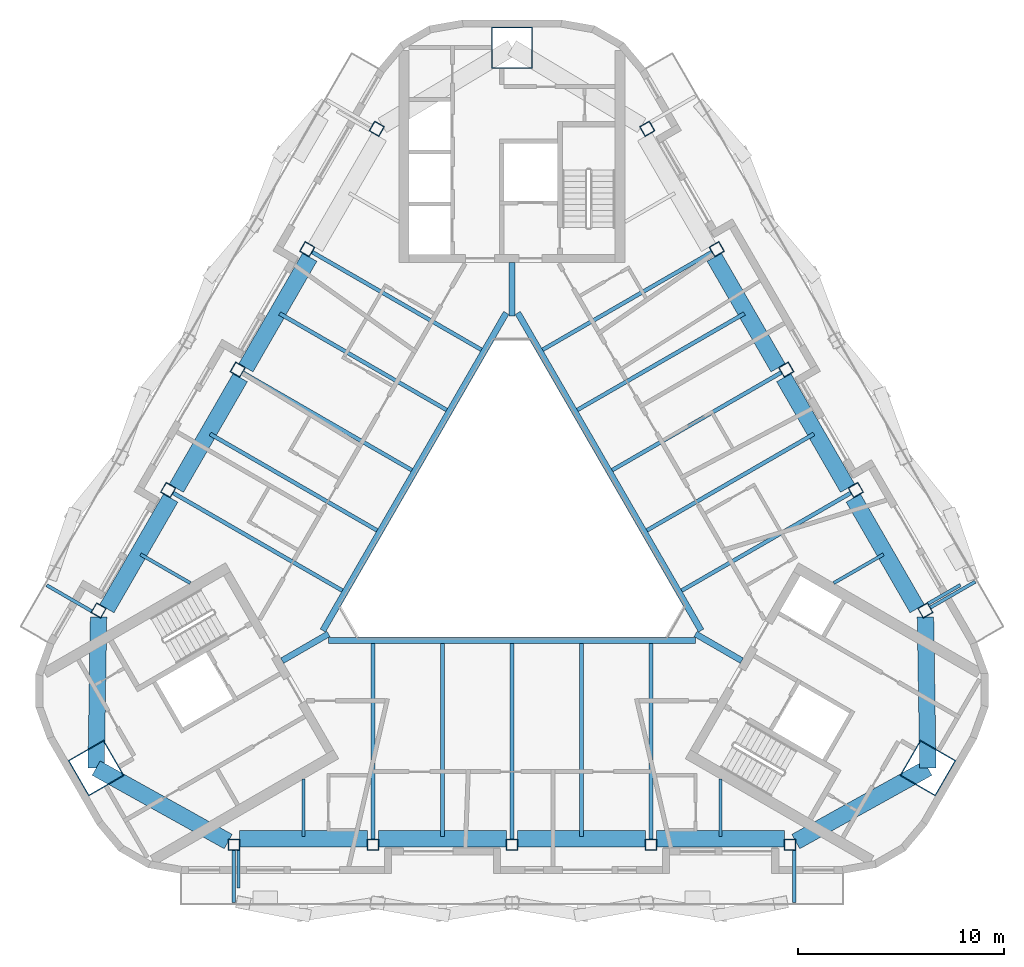
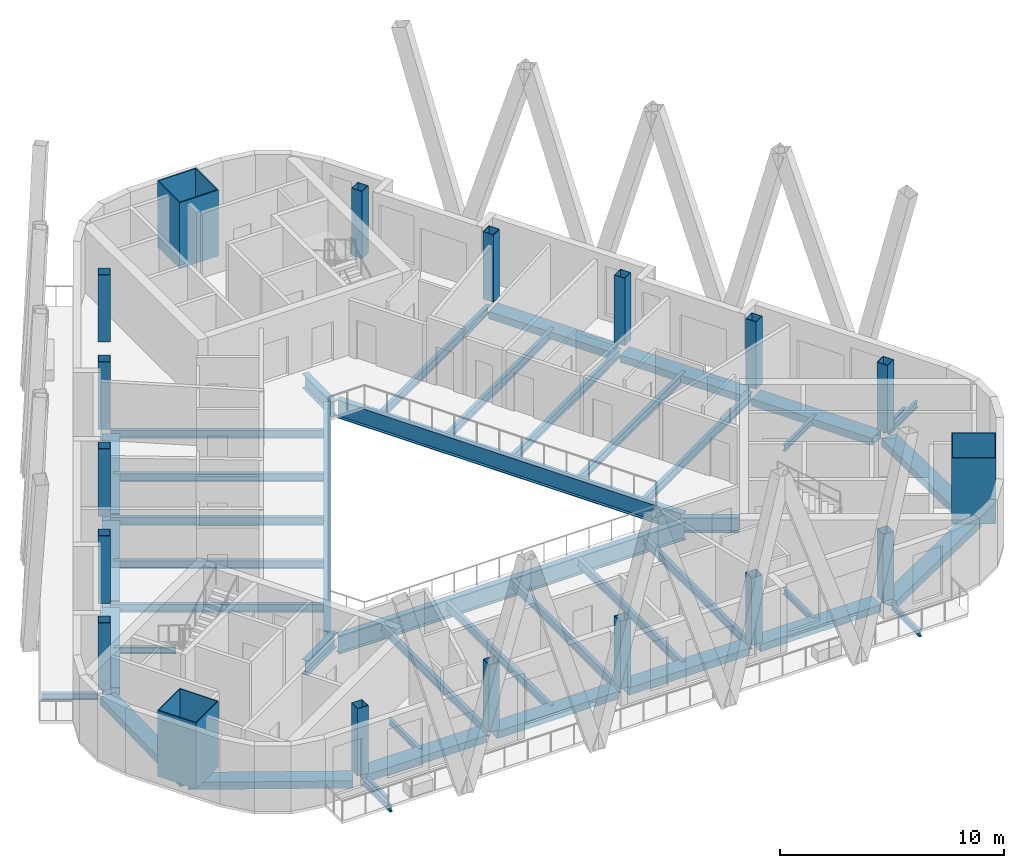
# One storey, part 1 of 12: 45 beams, 18 columns.
"""IFC4 building model written with IfcOpenShell, lengths in metres."""

from ifc_helpers import new_model, si_unit, direction, frame, origin, origin_2d, place, context, subcontext, project, spatial, rectangle, hollow_rectangle, i_section, extrude, boolean, halfspace, material, material_profile, profile_set, type_object, element, save


model = new_model("IFC4")

# Units and contexts
model_context = context("Model", 3, precision=1e-05, world=origin(), true_north=direction((0.0, 1.0)))
body_context = subcontext(model_context, "Body", "Model", "MODEL_VIEW")
ifc_project = project(units=[si_unit("LENGTHUNIT", "METRE"), si_unit("AREAUNIT", "SQUARE_METRE"), si_unit("VOLUMEUNIT", "CUBIC_METRE"), si_unit("PLANEANGLEUNIT", "RADIAN"), si_unit("MASSUNIT", "GRAM", prefix="KILO")], contexts=[model_context])

# Site, building, storey
site_placement = place(None, origin())
site = spatial("IfcSite", under=ifc_project, at=site_placement, CompositionType="ELEMENT")
building_placement = place(site_placement, origin())
building = spatial("IfcBuilding", under=site, at=building_placement, Name="Apuvela Tower Hotel", CompositionType="ELEMENT")
storey_placement = place(building_placement, frame((0.0, 0.0, 302.199951171875)))
storey = spatial("IfcBuildingStorey", under=building, at=storey_placement, Name="L75", CompositionType="ELEMENT", Elevation=302.199951171875)

# Columns
ifc_material_1 = material(Name="Steel S460", Category="steel")
ifc_material_profile_1 = material_profile(ifc_material_1, hollow_rectangle(XDim=2.0, YDim=2.0, WallThickness=0.050048828125, at=origin_2d()), Name="BOX 2000x2000x50")
ifc_material_2 = material(Name="Concrete C80/95", Category="concrete")
ifc_material_profile_2 = material_profile(ifc_material_2, rectangle(XDim=1.89990234375, YDim=1.89990234375, at=origin_2d()), Name="Concrete C80/95 infill")
ifc_profile_set_1 = profile_set([ifc_material_profile_1, ifc_material_profile_2], Name="Steel S460")
column_type_1 = type_object("IfcColumnType", Name="STR-MC mega column BOX 2000x2000x50", PredefinedType="COLUMN", material=ifc_profile_set_1)
for number, where, z_axis, x_axis, name in (
    (1, (0.0, 23.34130859375, 0.0), (0.0, 0.0, 1.0), (1.0, 0.0, 0.0), "Mega column MC4 N"),
    (2, (-20.214111328125, -11.670654296875, 0.0), (0.0, 0.0, 1.0), (-0.5, 0.866025403784, 0.0), "Mega column MC4 SW"),
    (3, (20.214111328125, -11.670654296875, 0.0), (0.0, 0.0, 1.0), (0.5, 0.866025403784, 0.0), "Mega column MC4 SE"),
):
    element("IfcColumn", number, at=place(storey_placement, frame(where, z_axis=z_axis, x_axis=x_axis)), inside=storey, type_object=column_type_1, Name=name, PredefinedType="COLUMN", context=body_context, shape_type="SweptSolid", body=[
        boolean("DIFFERENCE", extrude(hollow_rectangle(XDim=2.0, YDim=2.0, WallThickness=0.050048828125, at=origin_2d()), origin(), (0.0, 0.0, 1.0), 3.699951171875), halfspace(frame((0.0, 0.0, 0.11328125), z_axis=(0.0, 0.0, 1.0), x_axis=(1.0, 0.0, 0.0)), True)),
    ])
ifc_material_profile_3 = material_profile(ifc_material_1, hollow_rectangle(XDim=0.550048828125, YDim=0.550048828125, WallThickness=0.02490234375, at=origin_2d()), Name="BOX 550x550x25")
ifc_material_profile_4 = material_profile(ifc_material_2, rectangle(XDim=0.5, YDim=0.5, at=origin_2d()), Name="Concrete C80/95 infill")
ifc_profile_set_2 = profile_set([ifc_material_profile_3, ifc_material_profile_4], Name="Steel S460")
column_type_2 = type_object("IfcColumnType", Name="STR-PC perimeter column BOX 550x550x25", PredefinedType="COLUMN", material=ifc_profile_set_2)
column_1_placement = place(storey_placement, frame((-13.517822265625, -15.39453125, 0.0), z_axis=(0.0, 0.0, 1.0), x_axis=(-1.0, 0.0, 0.0)))
element("IfcColumn", 4, at=column_1_placement, inside=storey, type_object=column_type_2, Name="Perimeter column C7 S1", PredefinedType="COLUMN", context=body_context, shape_type="SweptSolid", body=[
    boolean("DIFFERENCE", extrude(hollow_rectangle(XDim=0.550048828125, YDim=0.550048828125, WallThickness=0.02490234375, at=origin_2d()), origin(), (0.0, 0.0, 1.0), 3.699951171875), halfspace(frame((0.0, 0.0, 0.039794921875), z_axis=(0.0, 0.0, 1.0), x_axis=(1.0, 0.0, 0.0)), True)),
])
column_2_placement = place(storey_placement, frame((-6.7587890625, -15.39453125, 0.0), z_axis=(0.0, 0.0, 1.0), x_axis=(-1.0, 0.0, 0.0)))
element("IfcColumn", 5, at=column_2_placement, inside=storey, type_object=column_type_2, Name="Perimeter column C7 S2", PredefinedType="COLUMN", context=body_context, shape_type="SweptSolid", body=[
    boolean("DIFFERENCE", extrude(hollow_rectangle(XDim=0.550048828125, YDim=0.550048828125, WallThickness=0.02490234375, at=origin_2d()), origin(), (0.0, 0.0, 1.0), 3.699951171875), halfspace(frame((0.0, 0.0, 0.033935546875), z_axis=(0.0, 0.0, 1.0), x_axis=(1.0, 0.0, 0.0)), True)),
])
column_3_placement = place(storey_placement, frame((0.0, -15.39453125, 0.0), z_axis=(0.0, 0.0, 1.0), x_axis=(-1.0, 0.0, 0.0)))
element("IfcColumn", 6, at=column_3_placement, inside=storey, type_object=column_type_2, Name="Perimeter column C7 S3", PredefinedType="COLUMN", context=body_context, shape_type="SweptSolid", body=[
    boolean("DIFFERENCE", extrude(hollow_rectangle(XDim=0.550048828125, YDim=0.550048828125, WallThickness=0.02490234375, at=origin_2d()), origin(), (0.0, 0.0, 1.0), 3.699951171875), halfspace(frame((0.0, 0.0, 0.031494140625), z_axis=(0.0, 0.0, 1.0), x_axis=(1.0, 0.0, 0.0)), True)),
])
column_4_placement = place(storey_placement, frame((6.7587890625, -15.39453125, 0.0), z_axis=(0.0, 0.0, 1.0), x_axis=(-1.0, 0.0, 0.0)))
element("IfcColumn", 7, at=column_4_placement, inside=storey, type_object=column_type_2, Name="Perimeter column C7 S4", PredefinedType="COLUMN", context=body_context, shape_type="SweptSolid", body=[
    boolean("DIFFERENCE", extrude(hollow_rectangle(XDim=0.550048828125, YDim=0.550048828125, WallThickness=0.02490234375, at=origin_2d()), origin(), (0.0, 0.0, 1.0), 3.699951171875), halfspace(frame((0.0, 0.0, 0.033935546875), z_axis=(0.0, 0.0, 1.0), x_axis=(1.0, 0.0, 0.0)), True)),
])
for number, where, z_axis, x_axis, name in (
    (8, (13.517822265625, -15.39453125, 0.0), (0.0, 0.0, 1.0), (-1.0, 0.0, 0.0), "Perimeter column C7 S5"),
    (9, (20.091064453125, -4.009521484375, 0.0), (0.0, 0.0, 1.0), (-0.5, 0.866025403784, 0.0), "Perimeter column C7 NE1"),
):
    element("IfcColumn", number, at=place(storey_placement, frame(where, z_axis=z_axis, x_axis=x_axis)), inside=storey, type_object=column_type_2, Name=name, PredefinedType="COLUMN", context=body_context, shape_type="SweptSolid", body=[
        boolean("DIFFERENCE", extrude(hollow_rectangle(XDim=0.550048828125, YDim=0.550048828125, WallThickness=0.02490234375, at=origin_2d()), origin(), (0.0, 0.0, 1.0), 3.699951171875), halfspace(frame((0.0, 0.0, 0.039794921875), z_axis=(0.0, 0.0, 1.0), x_axis=(1.0, 0.0, 0.0)), True)),
    ])
column_5_placement = place(storey_placement, frame((16.71142578125, 1.843994140625, 0.0), z_axis=(0.0, 0.0, 1.0), x_axis=(-0.5, 0.866025403784, 0.0)))
element("IfcColumn", 10, at=column_5_placement, inside=storey, type_object=column_type_2, Name="Perimeter column C7 NE2", PredefinedType="COLUMN", context=body_context, shape_type="SweptSolid", body=[
    boolean("DIFFERENCE", extrude(hollow_rectangle(XDim=0.550048828125, YDim=0.550048828125, WallThickness=0.02490234375, at=origin_2d()), origin(), (0.0, 0.0, 1.0), 3.699951171875), halfspace(frame((0.0, 0.0, 0.033935546875), z_axis=(0.0, 0.0, 1.0), x_axis=(1.0, 0.0, 0.0)), True)),
])
column_6_placement = place(storey_placement, frame((13.33203125, 7.697265625, 0.0), z_axis=(0.0, 0.0, 1.0), x_axis=(-0.5, 0.866025403784, 0.0)))
element("IfcColumn", 11, at=column_6_placement, inside=storey, type_object=column_type_2, Name="Perimeter column C7 NE3", PredefinedType="COLUMN", context=body_context, shape_type="SweptSolid", body=[
    boolean("DIFFERENCE", extrude(hollow_rectangle(XDim=0.550048828125, YDim=0.550048828125, WallThickness=0.02490234375, at=origin_2d()), origin(), (0.0, 0.0, 1.0), 3.699951171875), halfspace(frame((0.0, 0.0, 0.031494140625), z_axis=(0.0, 0.0, 1.0), x_axis=(1.0, 0.0, 0.0)), True)),
])
column_7_placement = place(storey_placement, frame((9.95263671875, 13.550537109375, 0.0), z_axis=(0.0, 0.0, 1.0), x_axis=(-0.5, 0.866025403784, 0.0)))
element("IfcColumn", 12, at=column_7_placement, inside=storey, type_object=column_type_2, Name="Perimeter column C7 NE4", PredefinedType="COLUMN", context=body_context, shape_type="SweptSolid", body=[
    boolean("DIFFERENCE", extrude(hollow_rectangle(XDim=0.550048828125, YDim=0.550048828125, WallThickness=0.02490234375, at=origin_2d()), origin(), (0.0, 0.0, 1.0), 3.699951171875), halfspace(frame((0.0, 0.0, 0.033935546875), z_axis=(0.0, 0.0, 1.0), x_axis=(1.0, 0.0, 0.0)), True)),
])
for number, where, z_axis, x_axis, name in (
    (13, (6.5732421875, 19.404052734375, 0.0), (0.0, 0.0, 1.0), (-0.5, 0.866025403784, 0.0), "Perimeter column C7 NE5"),
    (14, (-6.5732421875, 19.404052734375, 0.0), (0.0, 0.0, 1.0), (0.5, 0.866025403784, 0.0), "Perimeter column C7 NW1"),
):
    element("IfcColumn", number, at=place(storey_placement, frame(where, z_axis=z_axis, x_axis=x_axis)), inside=storey, type_object=column_type_2, Name=name, PredefinedType="COLUMN", context=body_context, shape_type="SweptSolid", body=[
        boolean("DIFFERENCE", extrude(hollow_rectangle(XDim=0.550048828125, YDim=0.550048828125, WallThickness=0.02490234375, at=origin_2d()), origin(), (0.0, 0.0, 1.0), 3.699951171875), halfspace(frame((0.0, 0.0, 0.039794921875), z_axis=(0.0, 0.0, 1.0), x_axis=(1.0, 0.0, 0.0)), True)),
    ])
column_8_placement = place(storey_placement, frame((-9.95263671875, 13.550537109375, 0.0), z_axis=(0.0, 0.0, 1.0), x_axis=(0.5, 0.866025403784, 0.0)))
element("IfcColumn", 15, at=column_8_placement, inside=storey, type_object=column_type_2, Name="Perimeter column C7 NW2", PredefinedType="COLUMN", context=body_context, shape_type="SweptSolid", body=[
    boolean("DIFFERENCE", extrude(hollow_rectangle(XDim=0.550048828125, YDim=0.550048828125, WallThickness=0.02490234375, at=origin_2d()), origin(), (0.0, 0.0, 1.0), 3.699951171875), halfspace(frame((0.0, 0.0, 0.033935546875), z_axis=(0.0, 0.0, 1.0), x_axis=(1.0, 0.0, 0.0)), True)),
])
column_9_placement = place(storey_placement, frame((-13.33203125, 7.697265625, 0.0), z_axis=(0.0, 0.0, 1.0), x_axis=(0.5, 0.866025403784, 0.0)))
element("IfcColumn", 16, at=column_9_placement, inside=storey, type_object=column_type_2, Name="Perimeter column C7 NW3", PredefinedType="COLUMN", context=body_context, shape_type="SweptSolid", body=[
    boolean("DIFFERENCE", extrude(hollow_rectangle(XDim=0.550048828125, YDim=0.550048828125, WallThickness=0.02490234375, at=origin_2d()), origin(), (0.0, 0.0, 1.0), 3.699951171875), halfspace(frame((0.0, 0.0, 0.031494140625), z_axis=(0.0, 0.0, 1.0), x_axis=(1.0, 0.0, 0.0)), True)),
])
column_10_placement = place(storey_placement, frame((-16.71142578125, 1.843994140625, 0.0), z_axis=(0.0, 0.0, 1.0), x_axis=(0.5, 0.866025403784, 0.0)))
element("IfcColumn", 17, at=column_10_placement, inside=storey, type_object=column_type_2, Name="Perimeter column C7 NW4", PredefinedType="COLUMN", context=body_context, shape_type="SweptSolid", body=[
    boolean("DIFFERENCE", extrude(hollow_rectangle(XDim=0.550048828125, YDim=0.550048828125, WallThickness=0.02490234375, at=origin_2d()), origin(), (0.0, 0.0, 1.0), 3.699951171875), halfspace(frame((0.0, 0.0, 0.033935546875), z_axis=(0.0, 0.0, 1.0), x_axis=(1.0, 0.0, 0.0)), True)),
])
column_11_placement = place(storey_placement, frame((-20.091064453125, -4.009521484375, 0.0), z_axis=(0.0, 0.0, 1.0), x_axis=(0.5, 0.866025403784, 0.0)))
element("IfcColumn", 18, at=column_11_placement, inside=storey, type_object=column_type_2, Name="Perimeter column C7 NW5", PredefinedType="COLUMN", context=body_context, shape_type="SweptSolid", body=[
    boolean("DIFFERENCE", extrude(hollow_rectangle(XDim=0.550048828125, YDim=0.550048828125, WallThickness=0.02490234375, at=origin_2d()), origin(), (0.0, 0.0, 1.0), 3.699951171875), halfspace(frame((0.0, 0.0, 0.039794921875), z_axis=(0.0, 0.0, 1.0), x_axis=(1.0, 0.0, 0.0)), True)),
])

# Beams
ifc_material_3 = material(Name="Steel S355", Category="steel")
ifc_material_profile_5 = material_profile(ifc_material_3, i_section(OverallWidth=0.159912109375, OverallDepth=0.330078125, WebThickness=0.007568359375, FlangeThickness=0.011474609375, at=origin_2d()), Name="IPE 330")
ifc_profile_set_3 = profile_set([ifc_material_profile_5], Name="Steel S355")
beam_type_1 = type_object("IfcBeamType", Name="ENV-BALCONY-BEAM-IPE330", PredefinedType="BEAM", material=ifc_profile_set_3)
beam_1_placement = place(storey_placement, frame((-13.517822265625, -15.669677734375, -0.31494140625), z_axis=(0.0, -1.0, 0.0), x_axis=(1.0, 0.0, 0.0)))
element("IfcBeam", 19, at=beam_1_placement, inside=storey, type_object=beam_type_1, Name="Balcony cantilever beam S1 L75", PredefinedType="BEAM", context=body_context, shape_type="SweptSolid", body=[
    extrude(i_section(OverallWidth=0.159912109375, OverallDepth=0.330078125, WebThickness=0.007568359375, FlangeThickness=0.011474609375, at=origin_2d()), origin(), (0.0, 0.0, 1.0), 2.52490234375),
])
beam_2_placement = place(storey_placement, frame((-13.2978515625, -15.669677734375, -0.31494140625), z_axis=(0.0, -1.0, 0.0), x_axis=(1.0, 0.0, 0.0)))
element("IfcBeam", 20, at=beam_2_placement, inside=storey, type_object=beam_type_1, Name="Balcony cantilever beam S2 L75", PredefinedType="BEAM", context=body_context, shape_type="SweptSolid", body=[
    extrude(i_section(OverallWidth=0.159912109375, OverallDepth=0.330078125, WebThickness=0.007568359375, FlangeThickness=0.011474609375, at=origin_2d()), origin(), (0.0, 0.0, 1.0), 1.824951171875),
])
for number, where, z_axis, x_axis, name in (
    (21, (13.7177734375, -15.669677734375, -0.31494140625), (0.0, -1.0, 0.0), (1.0, 0.0, 0.0), "Balcony cantilever beam S3 L75"),
    (22, (20.3291015625, -3.8720703125, -0.31494140625), (0.866039067339, 0.499976333282, 0.0), (-0.499976333282, 0.866039067339, 0.0), "Balcony cantilever beam NE1 L75"),
):
    element("IfcBeam", number, at=place(storey_placement, frame(where, z_axis=z_axis, x_axis=x_axis)), inside=storey, type_object=beam_type_1, Name=name, PredefinedType="BEAM", context=body_context, shape_type="SweptSolid", body=[
        extrude(i_section(OverallWidth=0.159912109375, OverallDepth=0.330078125, WebThickness=0.007568359375, FlangeThickness=0.011474609375, at=origin_2d()), origin(), (0.0, 0.0, 1.0), 2.52490234375),
    ])
beam_3_placement = place(storey_placement, frame((20.218994140625, -3.681396484375, -0.31494140625), z_axis=(0.866011828767, 0.500023511883, 0.0), x_axis=(-0.500023511883, 0.866011828767, 0.0)))
element("IfcBeam", 23, at=beam_3_placement, inside=storey, type_object=beam_type_1, Name="Balcony cantilever beam NE2 L75", PredefinedType="BEAM", context=body_context, shape_type="SweptSolid", body=[
    extrude(i_section(OverallWidth=0.159912109375, OverallDepth=0.330078125, WebThickness=0.007568359375, FlangeThickness=0.011474609375, at=origin_2d()), origin(), (0.0, 0.0, 1.0), 1.8251953125),
])
beam_4_placement = place(storey_placement, frame((-20.42919921875, -4.045166015625, -0.31494140625), z_axis=(-0.866014894461, 0.50001820224, 0.0), x_axis=(-0.50001820224, -0.866014894461, 0.0)))
element("IfcBeam", 24, at=beam_4_placement, inside=storey, type_object=beam_type_1, Name="Balcony cantilever beam NW3 L75", PredefinedType="BEAM", context=body_context, shape_type="SweptSolid", body=[
    extrude(i_section(OverallWidth=0.159912109375, OverallDepth=0.330078125, WebThickness=0.007568359375, FlangeThickness=0.011474609375, at=origin_2d()), origin(), (0.0, 0.0, 1.0), 2.52490234375),
])
ifc_material_profile_6 = material_profile(ifc_material_3, i_section(OverallWidth=0.159912109375, OverallDepth=0.330078125, WebThickness=0.007568359375, FlangeThickness=0.011474609375, at=origin_2d()), Name="IPE 330")
ifc_profile_set_4 = profile_set([ifc_material_profile_6], Name="Steel S355")
beam_type_2 = type_object("IfcBeamType", Name="STR-B floor beam IPE 330", PredefinedType="BEAM", material=ifc_profile_set_4)
for number, where, z_axis, x_axis, name in (
    (25, (18.0546875, -1.28271484375, -0.31494140625), (-0.86601074026, -0.500025397109, 0.0), (0.500025397109, -0.86601074026, 0.0), "Floor beam B1 NE2"),
    (26, (-18.0546875, -1.28271484375, -0.31494140625), (0.86601074026, -0.500025397109, 0.0), (0.500025397109, 0.86601074026, 0.0), "Floor beam B1 NW8"),
):
    element("IfcBeam", number, at=place(storey_placement, frame(where, z_axis=z_axis, x_axis=x_axis)), inside=storey, type_object=beam_type_2, Name=name, PredefinedType="BEAM", context=body_context, shape_type="SweptSolid", body=[
        extrude(i_section(OverallWidth=0.159912109375, OverallDepth=0.330078125, WebThickness=0.007568359375, FlangeThickness=0.011474609375, at=origin_2d()), origin(), (0.0, 0.0, 1.0), 2.790283203125),
    ])
for number, where, z_axis, x_axis, name in (
    (27, (-10.13818359375, -14.99462890625, -0.31494140625), (0.0, 1.0, 0.0), (-1.0, 0.0, 0.0), "Floor beam B1 S2"),
    (28, (10.13818359375, -14.99462890625, -0.31494140625), (0.0, 1.0, 0.0), (-1.0, 0.0, 0.0), "Floor beam B1 S8"),
):
    element("IfcBeam", number, at=place(storey_placement, frame(where, z_axis=z_axis, x_axis=x_axis)), inside=storey, type_object=beam_type_2, Name=name, PredefinedType="BEAM", context=body_context, shape_type="SweptSolid", body=[
        extrude(i_section(OverallWidth=0.159912109375, OverallDepth=0.330078125, WebThickness=0.007568359375, FlangeThickness=0.011474609375, at=origin_2d()), origin(), (0.0, 0.0, 1.0), 2.79052734375),
    ])
ifc_material_profile_7 = material_profile(ifc_material_3, i_section(OverallWidth=0.18994140625, OverallDepth=0.449951171875, WebThickness=0.009521484375, FlangeThickness=0.0146484375, at=origin_2d()), Name="IPE 450")
ifc_profile_set_5 = profile_set([ifc_material_profile_7], Name="Steel S355")
beam_type_3 = type_object("IfcBeamType", Name="STR-B floor beam IPE 450", PredefinedType="BEAM", material=ifc_profile_set_5)
beam_5_placement = place(storey_placement, frame((16.473388671875, 1.706298828125, -0.375), z_axis=(-0.866025092416, -0.500000539305, 0.0), x_axis=(0.500000539305, -0.866025092416, 0.0)))
element("IfcBeam", 29, at=beam_5_placement, inside=storey, type_object=beam_type_3, Name="Floor beam B9 NE3", PredefinedType="BEAM", context=body_context, shape_type="SweptSolid", body=[
    extrude(i_section(OverallWidth=0.18994140625, OverallDepth=0.449951171875, WebThickness=0.009521484375, FlangeThickness=0.0146484375, at=origin_2d()), origin(), (0.0, 0.0, 1.0), 9.49951171875),
])
beam_6_placement = place(storey_placement, frame((14.67529296875, 4.570556640625, -0.375), z_axis=(-0.866021214318, -0.500007256298, 0.0), x_axis=(0.500007256298, -0.866021214318, 0.0)))
element("IfcBeam", 30, at=beam_6_placement, inside=storey, type_object=beam_type_3, Name="Floor beam B9 NE4", PredefinedType="BEAM", context=body_context, shape_type="SweptSolid", body=[
    extrude(i_section(OverallWidth=0.18994140625, OverallDepth=0.449951171875, WebThickness=0.009521484375, FlangeThickness=0.0146484375, at=origin_2d()), origin(), (0.0, 0.0, 1.0), 9.374267578125),
])
beam_7_placement = place(storey_placement, frame((13.093994140625, 7.559814453125, -0.375), z_axis=(-0.866025092416, -0.500000539305, 0.0), x_axis=(0.500000539305, -0.866025092416, 0.0)))
element("IfcBeam", 31, at=beam_7_placement, inside=storey, type_object=beam_type_3, Name="Floor beam B9 NE5", PredefinedType="BEAM", context=body_context, shape_type="SweptSolid", body=[
    extrude(i_section(OverallWidth=0.18994140625, OverallDepth=0.449951171875, WebThickness=0.009521484375, FlangeThickness=0.0146484375, at=origin_2d()), origin(), (0.0, 0.0, 1.0), 9.49951171875),
])
beam_8_placement = place(storey_placement, frame((11.2958984375, 10.424072265625, -0.375), z_axis=(-0.866027725137, -0.499995979278, 0.0), x_axis=(0.499995979278, -0.866027725137, 0.0)))
element("IfcBeam", 32, at=beam_8_placement, inside=storey, type_object=beam_type_3, Name="Floor beam B9 NE6", PredefinedType="BEAM", context=body_context, shape_type="SweptSolid", body=[
    extrude(i_section(OverallWidth=0.18994140625, OverallDepth=0.449951171875, WebThickness=0.009521484375, FlangeThickness=0.0146484375, at=origin_2d()), origin(), (0.0, 0.0, 1.0), 9.37451171875),
])
for number, where, z_axis, x_axis, name in (
    (33, (9.714599609375, 13.4130859375, -0.375), (-0.866031517306, -0.49998941092, 0.0), (0.49998941092, -0.866031517306, 0.0), "Floor beam B9 NE7"),
    (34, (-9.714599609375, 13.4130859375, -0.375), (0.866031517306, -0.49998941092, 0.0), (0.49998941092, 0.866031517306, 0.0), "Floor beam B9 NW3"),
):
    element("IfcBeam", number, at=place(storey_placement, frame(where, z_axis=z_axis, x_axis=x_axis)), inside=storey, type_object=beam_type_3, Name=name, PredefinedType="BEAM", context=body_context, shape_type="SweptSolid", body=[
        extrude(i_section(OverallWidth=0.18994140625, OverallDepth=0.449951171875, WebThickness=0.009521484375, FlangeThickness=0.0146484375, at=origin_2d()), origin(), (0.0, 0.0, 1.0), 9.499755859375),
    ])
beam_9_placement = place(storey_placement, frame((-11.2958984375, 10.424072265625, -0.375), z_axis=(0.866027725137, -0.499995979278, 0.0), x_axis=(0.499995979278, 0.866027725137, 0.0)))
element("IfcBeam", 35, at=beam_9_placement, inside=storey, type_object=beam_type_3, Name="Floor beam B9 NW4", PredefinedType="BEAM", context=body_context, shape_type="SweptSolid", body=[
    extrude(i_section(OverallWidth=0.18994140625, OverallDepth=0.449951171875, WebThickness=0.009521484375, FlangeThickness=0.0146484375, at=origin_2d()), origin(), (0.0, 0.0, 1.0), 9.37451171875),
])
beam_10_placement = place(storey_placement, frame((-13.093994140625, 7.559814453125, -0.375), z_axis=(0.866025092416, -0.500000539305, 0.0), x_axis=(0.500000539305, 0.866025092416, 0.0)))
element("IfcBeam", 36, at=beam_10_placement, inside=storey, type_object=beam_type_3, Name="Floor beam B9 NW5", PredefinedType="BEAM", context=body_context, shape_type="SweptSolid", body=[
    extrude(i_section(OverallWidth=0.18994140625, OverallDepth=0.449951171875, WebThickness=0.009521484375, FlangeThickness=0.0146484375, at=origin_2d()), origin(), (0.0, 0.0, 1.0), 9.49951171875),
])
beam_11_placement = place(storey_placement, frame((-14.67529296875, 4.570556640625, -0.375), z_axis=(0.866021214318, -0.500007256298, 0.0), x_axis=(0.500007256298, 0.866021214318, 0.0)))
element("IfcBeam", 37, at=beam_11_placement, inside=storey, type_object=beam_type_3, Name="Floor beam B9 NW6", PredefinedType="BEAM", context=body_context, shape_type="SweptSolid", body=[
    extrude(i_section(OverallWidth=0.18994140625, OverallDepth=0.449951171875, WebThickness=0.009521484375, FlangeThickness=0.0146484375, at=origin_2d()), origin(), (0.0, 0.0, 1.0), 9.374267578125),
])
for number, where, z_axis, x_axis, name in (
    (38, (-16.473388671875, 1.706298828125, -0.375), (0.866025092416, -0.500000539305, 0.0), (0.500000539305, 0.866025092416, 0.0), "Floor beam B9 NW7"),
    (39, (-6.7587890625, -15.11962890625, -0.375), (0.0, 1.0, 0.0), (-1.0, 0.0, 0.0), "Floor beam B9 S3"),
):
    element("IfcBeam", number, at=place(storey_placement, frame(where, z_axis=z_axis, x_axis=x_axis)), inside=storey, type_object=beam_type_3, Name=name, PredefinedType="BEAM", context=body_context, shape_type="SweptSolid", body=[
        extrude(i_section(OverallWidth=0.18994140625, OverallDepth=0.449951171875, WebThickness=0.009521484375, FlangeThickness=0.0146484375, at=origin_2d()), origin(), (0.0, 0.0, 1.0), 9.49951171875),
    ])
beam_12_placement = place(storey_placement, frame((-3.37939453125, -14.99462890625, -0.375), z_axis=(0.0, 1.0, 0.0), x_axis=(-1.0, 0.0, 0.0)))
element("IfcBeam", 40, at=beam_12_placement, inside=storey, type_object=beam_type_3, Name="Floor beam B9 S4", PredefinedType="BEAM", context=body_context, shape_type="SweptSolid", body=[
    extrude(i_section(OverallWidth=0.18994140625, OverallDepth=0.449951171875, WebThickness=0.009521484375, FlangeThickness=0.0146484375, at=origin_2d()), origin(), (0.0, 0.0, 1.0), 9.37451171875),
])
beam_13_placement = place(storey_placement, frame((0.0, -15.11962890625, -0.375), z_axis=(0.0, 1.0, 0.0), x_axis=(-1.0, 0.0, 0.0)))
element("IfcBeam", 41, at=beam_13_placement, inside=storey, type_object=beam_type_3, Name="Floor beam B9 S5", PredefinedType="BEAM", context=body_context, shape_type="SweptSolid", body=[
    extrude(i_section(OverallWidth=0.18994140625, OverallDepth=0.449951171875, WebThickness=0.009521484375, FlangeThickness=0.0146484375, at=origin_2d()), origin(), (0.0, 0.0, 1.0), 9.49951171875),
])
beam_14_placement = place(storey_placement, frame((3.37939453125, -14.99462890625, -0.375), z_axis=(0.0, 1.0, 0.0), x_axis=(-1.0, 0.0, 0.0)))
element("IfcBeam", 42, at=beam_14_placement, inside=storey, type_object=beam_type_3, Name="Floor beam B9 S6", PredefinedType="BEAM", context=body_context, shape_type="SweptSolid", body=[
    extrude(i_section(OverallWidth=0.18994140625, OverallDepth=0.449951171875, WebThickness=0.009521484375, FlangeThickness=0.0146484375, at=origin_2d()), origin(), (0.0, 0.0, 1.0), 9.37451171875),
])
beam_15_placement = place(storey_placement, frame((6.7587890625, -15.11962890625, -0.375), z_axis=(0.0, 1.0, 0.0), x_axis=(-1.0, 0.0, 0.0)))
element("IfcBeam", 43, at=beam_15_placement, inside=storey, type_object=beam_type_3, Name="Floor beam B9 S7", PredefinedType="BEAM", context=body_context, shape_type="SweptSolid", body=[
    extrude(i_section(OverallWidth=0.18994140625, OverallDepth=0.449951171875, WebThickness=0.009521484375, FlangeThickness=0.0146484375, at=origin_2d()), origin(), (0.0, 0.0, 1.0), 9.49951171875),
])
ifc_material_profile_8 = material_profile(ifc_material_3, i_section(OverallWidth=0.300048828125, OverallDepth=0.989990234375, WebThickness=0.0166015625, FlangeThickness=0.031005859375, at=origin_2d()), Name="HE 1000 A")
ifc_profile_set_6 = profile_set([ifc_material_profile_8], Name="Steel S355")
beam_type_4 = type_object("IfcBeamType", Name="STR-G atrium ring girder HE 1000 A", PredefinedType="BEAM", material=ifc_profile_set_6)
beam_16_placement = place(storey_placement, frame((-0.27978515625, 10.455078125, -0.64501953125), z_axis=(-0.500006541319, -0.866021627119, 0.0), x_axis=(0.866021627119, -0.500006541319, 0.0)))
element("IfcBeam", 44, at=beam_16_placement, inside=storey, type_object=beam_type_4, Name="Atrium ring girder G3 N-SW", PredefinedType="BEAM", context=body_context, shape_type="SweptSolid", body=[
    extrude(i_section(OverallWidth=0.300048828125, OverallDepth=0.989990234375, WebThickness=0.0166015625, FlangeThickness=0.031005859375, at=origin_2d()), origin(), (0.0, 0.0, 1.0), 17.828857421875),
])
beam_17_placement = place(storey_placement, frame((-8.91455078125, -5.469970703125, -0.64501953125), z_axis=(1.0, 0.0, 0.0), x_axis=(0.0, 1.0, 0.0)))
element("IfcBeam", 45, at=beam_17_placement, inside=storey, type_object=beam_type_4, Name="Atrium ring girder G3 SW-SE", PredefinedType="BEAM", context=body_context, shape_type="SweptSolid", body=[
    extrude(i_section(OverallWidth=0.300048828125, OverallDepth=0.989990234375, WebThickness=0.0166015625, FlangeThickness=0.031005859375, at=origin_2d()), origin(), (0.0, 0.0, 1.0), 17.8291015625),
])
beam_18_placement = place(storey_placement, frame((9.1943359375, -4.985107421875, -0.64501953125), z_axis=(-0.500006541319, 0.866021627119, 0.0), x_axis=(-0.866021627119, -0.500006541319, 0.0)))
element("IfcBeam", 46, at=beam_18_placement, inside=storey, type_object=beam_type_4, Name="Atrium ring girder G3 SE-N", PredefinedType="BEAM", context=body_context, shape_type="SweptSolid", body=[
    extrude(i_section(OverallWidth=0.300048828125, OverallDepth=0.989990234375, WebThickness=0.0166015625, FlangeThickness=0.031005859375, at=origin_2d()), origin(), (0.0, 0.0, 1.0), 17.828857421875),
])
ifc_material_profile_9 = material_profile(ifc_material_3, i_section(OverallWidth=0.300048828125, OverallDepth=0.800048828125, WebThickness=0.017578125, FlangeThickness=0.032958984375, at=origin_2d()), Name="HE 800 B")
ifc_profile_set_7 = profile_set([ifc_material_profile_9], Name="Steel S355")
beam_type_5 = type_object("IfcBeamType", Name="STR-GT core tie beam HE 800 B", PredefinedType="BEAM", material=ifc_profile_set_7)
for number, where, z_axis, x_axis, name in (
    (47, (0.0, 12.89990234375, -0.550048828125), (0.0, -1.0, 0.0), (1.0, 0.0, 0.0), "Core tie beam GT1 N"),
    (48, (-11.171630859375, -6.449951171875, -0.550048828125), (0.865997922154, 0.500047596559, 0.0), (-0.500047596559, 0.865997922154, 0.0), "Core tie beam GT1 SW"),
    (49, (11.171630859375, -6.449951171875, -0.550048828125), (-0.865997922154, 0.500047596559, 0.0), (-0.500047596559, -0.865997922154, 0.0), "Core tie beam GT1 SE"),
):
    element("IfcBeam", number, at=place(storey_placement, frame(where, z_axis=z_axis, x_axis=x_axis)), inside=storey, type_object=beam_type_5, Name=name, PredefinedType="BEAM", context=body_context, shape_type="SweptSolid", body=[
        extrude(i_section(OverallWidth=0.300048828125, OverallDepth=0.800048828125, WebThickness=0.017578125, FlangeThickness=0.032958984375, at=origin_2d()), origin(), (0.0, 0.0, 1.0), 2.599853515625),
    ])
ifc_material_profile_10 = material_profile(ifc_material_1, hollow_rectangle(XDim=0.800048828125, YDim=0.39990234375, WallThickness=0.02490234375, at=origin_2d()), Name="BOX 800x400x25")
ifc_profile_set_8 = profile_set([ifc_material_profile_10], Name="Steel S460")
beam_type_6 = type_object("IfcBeamType", Name="STR-RB perimeter ring beam BOX 800x400x25", PredefinedType="SPANDREL", material=ifc_profile_set_8)
for number, where, z_axis, x_axis, name in (
    (50, (-13.242919921875, -15.094482421875, -0.39990234375), (1.0, 0.0, 0.0), (0.0, 1.0, 0.0), "Ring beam RB1 S1"),
    (51, (-6.48388671875, -15.094482421875, -0.39990234375), (1.0, 0.0, 0.0), (0.0, 1.0, 0.0), "Ring beam RB1 S2"),
    (52, (0.27490234375, -15.094482421875, -0.39990234375), (1.0, 0.0, 0.0), (0.0, 1.0, 0.0), "Ring beam RB1 S3"),
    (53, (7.033935546875, -15.094482421875, -0.39990234375), (1.0, 0.0, 0.0), (0.0, 1.0, 0.0), "Ring beam RB1 S4"),
    (54, (19.693603515625, -3.92138671875, -0.39990234375), (-0.499995880841, 0.866027781969, 0.0), (-0.866027781969, -0.499995880841, 0.0), "Ring beam RB1 NE1"),
):
    element("IfcBeam", number, at=place(storey_placement, frame(where, z_axis=z_axis, x_axis=x_axis)), inside=storey, type_object=beam_type_6, Name=name, PredefinedType="SPANDREL", context=body_context, shape_type="SweptSolid", body=[
        extrude(hollow_rectangle(XDim=0.800048828125, YDim=0.39990234375, WallThickness=0.02490234375, at=origin_2d()), origin(), (0.0, 0.0, 1.0), 6.208984375),
    ])
beam_19_placement = place(storey_placement, frame((16.314208984375, 1.93212890625, -0.39990234375), z_axis=(-0.500012907384, 0.866017951575, 0.0), x_axis=(-0.866017951575, -0.500012907384, 0.0)))
element("IfcBeam", 55, at=beam_19_placement, inside=storey, type_object=beam_type_6, Name="Ring beam RB1 NE2", PredefinedType="SPANDREL", context=body_context, shape_type="SweptSolid", body=[
    extrude(hollow_rectangle(XDim=0.800048828125, YDim=0.39990234375, WallThickness=0.02490234375, at=origin_2d()), origin(), (0.0, 0.0, 1.0), 6.208740234375),
])
for number, where, z_axis, x_axis, name in (
    (56, (12.934814453125, 7.785400390625, -0.39990234375), (-0.499995880841, 0.866027781969, 0.0), (-0.866027781969, -0.499995880841, 0.0), "Ring beam RB1 NE3"),
    (57, (-9.830322265625, 13.16259765625, -0.39990234375), (-0.499995880841, -0.866027781969, 0.0), (0.866027781969, -0.499995880841, 0.0), "Ring beam RB1 NW2"),
):
    element("IfcBeam", number, at=place(storey_placement, frame(where, z_axis=z_axis, x_axis=x_axis)), inside=storey, type_object=beam_type_6, Name=name, PredefinedType="SPANDREL", context=body_context, shape_type="SweptSolid", body=[
        extrude(hollow_rectangle(XDim=0.800048828125, YDim=0.39990234375, WallThickness=0.02490234375, at=origin_2d()), origin(), (0.0, 0.0, 1.0), 6.208984375),
    ])
beam_20_placement = place(storey_placement, frame((-13.209716796875, 7.30908203125, -0.39990234375), z_axis=(-0.500012907384, -0.866017951575, 0.0), x_axis=(0.866017951575, -0.500012907384, 0.0)))
element("IfcBeam", 58, at=beam_20_placement, inside=storey, type_object=beam_type_6, Name="Ring beam RB1 NW3", PredefinedType="SPANDREL", context=body_context, shape_type="SweptSolid", body=[
    extrude(hollow_rectangle(XDim=0.800048828125, YDim=0.39990234375, WallThickness=0.02490234375, at=origin_2d()), origin(), (0.0, 0.0, 1.0), 6.208740234375),
])
beam_21_placement = place(storey_placement, frame((-16.589111328125, 1.455810546875, -0.39990234375), z_axis=(-0.499995880841, -0.866027781969, 0.0), x_axis=(0.866027781969, -0.499995880841, 0.0)))
element("IfcBeam", 59, at=beam_21_placement, inside=storey, type_object=beam_type_6, Name="Ring beam RB1 NW4", PredefinedType="SPANDREL", context=body_context, shape_type="SweptSolid", body=[
    extrude(hollow_rectangle(XDim=0.800048828125, YDim=0.39990234375, WallThickness=0.02490234375, at=origin_2d()), origin(), (0.0, 0.0, 1.0), 6.208984375),
])
for number, where, z_axis, x_axis, name in (
    (60, (-13.792724609375, -15.24169921875, -0.39990234375), (-0.87394874028, 0.486018106003, 0.0), (-0.486018106003, -0.87394874028, 0.0), "Ring beam RB1 S1-SW"),
    (61, (13.792724609375, -15.24169921875, -0.39990234375), (0.87394874028, 0.486018106003, 0.0), (-0.486018106003, 0.87394874028, 0.0), "Ring beam RB1 S5-SE"),
):
    element("IfcBeam", number, at=place(storey_placement, frame(where, z_axis=z_axis, x_axis=x_axis)), inside=storey, type_object=beam_type_6, Name=name, PredefinedType="SPANDREL", context=body_context, shape_type="SweptSolid", body=[
        extrude(hollow_rectangle(XDim=0.800048828125, YDim=0.39990234375, WallThickness=0.02490234375, at=origin_2d()), origin(), (0.0, 0.0, 1.0), 7.34765625),
    ])
for number, where, z_axis, x_axis, name in (
    (62, (20.095947265625, -4.32421875, -0.39990234375), (0.016082463318, -0.999870668824, 0.0), (0.999870668824, 0.016082463318, 0.0), "Ring beam RB1 NE1-SE"),
    (63, (-20.095947265625, -4.32421875, -0.39990234375), (-0.016082463318, -0.999870668824, 0.0), (0.999870668824, -0.016082463318, 0.0), "Ring beam RB1 NW5-SW"),
):
    element("IfcBeam", number, at=place(storey_placement, frame(where, z_axis=z_axis, x_axis=x_axis)), inside=storey, type_object=beam_type_6, Name=name, PredefinedType="SPANDREL", context=body_context, shape_type="SweptSolid", body=[
        extrude(hollow_rectangle(XDim=0.800048828125, YDim=0.39990234375, WallThickness=0.02490234375, at=origin_2d()), origin(), (0.0, 0.0, 1.0), 7.347412109375),
    ])

save(model, "model.ifc")
